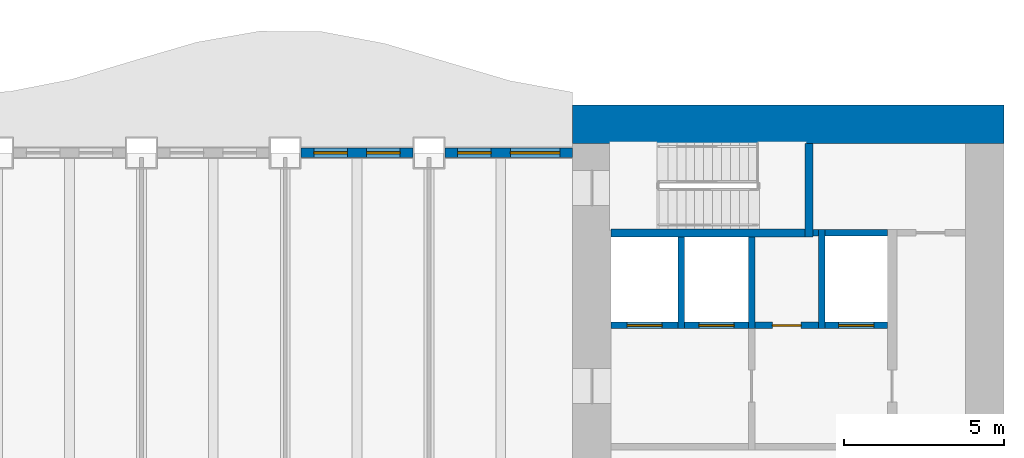
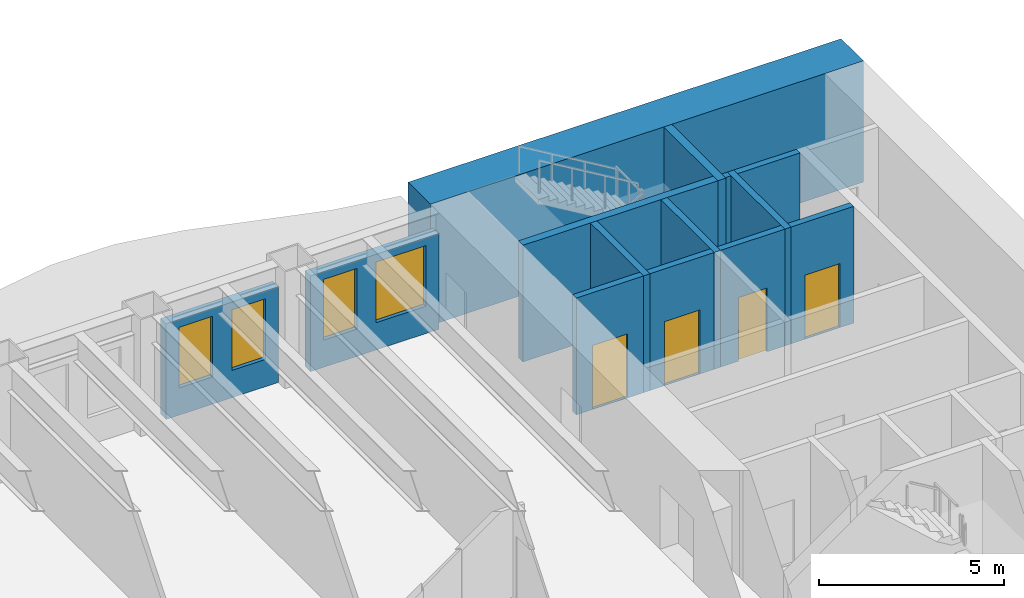
# One storey, part 7 of 16: 14 walls, 4 doors, 4 windows, 8 openings.
"""IFC4 building model written with IfcOpenShell, lengths in metres."""

from ifc_helpers import new_model, si_unit, direction, frame, frame_2d, origin, place, context, subcontext, project, spatial, rectangle, extrude, material, layer, layer_set, type_object, element, fill, save


model = new_model("IFC4")

# Units and contexts
model_context = context("Model", 3, precision=1e-05, world=origin(), true_north=direction((0.0, 1.0)))
body_context = subcontext(model_context, "Body", "Model", "MODEL_VIEW")
ifc_project = project(units=[si_unit("LENGTHUNIT", "METRE"), si_unit("AREAUNIT", "SQUARE_METRE"), si_unit("VOLUMEUNIT", "CUBIC_METRE"), si_unit("PLANEANGLEUNIT", "RADIAN"), si_unit("MASSUNIT", "GRAM", prefix="KILO")], contexts=[model_context])

# Site, building, storey
site_placement = place(None, origin())
site = spatial("IfcSite", under=ifc_project, at=site_placement, CompositionType="ELEMENT")
building_placement = place(site_placement, origin())
building = spatial("IfcBuilding", under=site, at=building_placement, Name="Sennacour Bend Tower", CompositionType="ELEMENT")
storey_placement = place(building_placement, frame((0.0, 0.0, 107.0)))
storey = spatial("IfcBuildingStorey", under=building, at=storey_placement, Name="L24", CompositionType="ELEMENT", Elevation=107.0)

# Wall
ifc_material_1 = material(Name="Concrete C80/95", Category="concrete")
ifc_layer_1 = layer(ifc_material_1, 1.199951171875, Name="Concrete C80/95", Category="concrete")
ifc_layer_set_1 = layer_set([ifc_layer_1], Name="Concrete C80/95")
wall_type_1 = type_object("IfcWallType", Name="Core wall 1200 C80/95", PredefinedType="SHEAR", material=ifc_layer_set_1)
wall_1_placement = place(storey_placement, frame((54.0, 21.89990234375, -0.14990234375), z_axis=(0.0, 0.0, 1.0), x_axis=(1.0, 0.0, 0.0)))
element("IfcWall", 1, at=wall_1_placement, inside=storey, type_object=wall_type_1, Name="Core A wall L24 N", PredefinedType="SHEAR", context=body_context, shape_type="SweptSolid", body=[
    extrude(rectangle(XDim=13.5, YDim=1.199951171875, at=frame_2d((6.75, 0.0))), origin(), (0.0, 0.0, 1.0), 4.0),
])

# Wall, opening, door
ifc_material_2 = material(Name="Fire-rated plasterboard partition on steel studs", Category="steel")
ifc_layer_2 = layer(ifc_material_2, 0.199951171875, Name="Fire-rated plasterboard partition on steel studs", Category="steel")
ifc_layer_set_2 = layer_set([ifc_layer_2], Name="Fire-rated plasterboard partition on steel studs")
wall_type_2 = type_object("IfcWallType", Name="Rated partition 200", PredefinedType="PARTITIONING", material=ifc_layer_set_2)
wall_2_placement = place(storey_placement, frame((59.699951171875, 15.60009765625, 0.0), z_axis=(0.0, 0.0, 1.0), x_axis=(1.0, 0.0, 0.0)))
wall_2 = element("IfcWall", 2, at=wall_2_placement, inside=storey, type_object=wall_type_2, Name="P-L24-W062", PredefinedType="PARTITIONING", context=body_context, shape_type="SweptSolid", body=[
    extrude(rectangle(XDim=2.0, YDim=0.199951171875, at=frame_2d((1.0, 0.0))), origin(), (0.0, 0.0, 1.0), 3.85009765625),
])
opening_1_placement = place(wall_2_placement, frame((0.550048828125, 0.0, 0.0)))
opening_1 = element("IfcOpeningElement", 3, at=opening_1_placement, cuts=wall_2, Name="Opening SV", PredefinedType="OPENING", context=body_context, shape_type="SweptSolid", body=[
    extrude(rectangle(XDim=0.89990234375, YDim=2.10009765625, at=frame_2d((0.449951171875, 1.050048828125))), frame((0.0, 0.10986328125, 0.0), z_axis=(0.0, -1.0, 0.0), x_axis=(1.0, 0.0, 0.0)), (0.0, 0.0, 1.0), 0.219970703125),
])
ifc_material_3 = material(Name="Painted steel", Category="steel")
door_type_1 = type_object("IfcDoorType", Name="DR-SERVICE-900", OperationType="NOTDEFINED", PredefinedType="DOOR", material=ifc_material_3)
door_1_placement = place(opening_1_placement, origin())
door_1 = element("IfcDoor", 4, at=door_1_placement, inside=storey, type_object=door_type_1, Name="Door", OperationType="SINGLE_SWING_RIGHT", OverallHeight=2.10009765625, OverallWidth=0.89990234375, PredefinedType="DOOR", context=body_context, shape_type="SweptSolid", body=[
    extrude(rectangle(XDim=0.89990234375, YDim=2.10009765625, at=frame_2d((0.449951171875, 1.050048828125))), frame((0.0, 0.02490234375, 0.0), z_axis=(0.0, -1.0, 0.0), x_axis=(1.0, 0.0, 0.0)), (0.0, 0.0, 1.0), 0.050048828125),
])
fill(opening_1, door_1)

# Wall
wall_3_placement = place(storey_placement, frame((61.52490234375, 18.5, 0.0), z_axis=(0.0, 0.0, 1.0), x_axis=(1.0, 0.0, 0.0)))
element("IfcWall", 5, at=wall_3_placement, inside=storey, type_object=wall_type_2, Name="P-L24-W065", PredefinedType="PARTITIONING", context=body_context, shape_type="SweptSolid", body=[
    extrude(rectangle(XDim=0.175048828125, YDim=0.199951171875, at=frame_2d((0.08740234375, 0.0))), origin(), (0.0, 0.0, 1.0), 3.85009765625),
])

# Wall, openings, windows
ifc_material_4 = material(Name="Warm limestone cladding", Category="masonry")
ifc_layer_3 = layer(ifc_material_4, 0.050048828125, Name="Warm limestone cladding", Category="masonry")
ifc_material_5 = material(Name="Precast concrete C40/50", Category="concrete")
ifc_layer_4 = layer(ifc_material_5, 0.25, Name="Precast concrete C40/50", Category="concrete")
ifc_layer_set_3 = layer_set([ifc_layer_3, ifc_layer_4], Name="Precast concrete C40/50 with limestone cladding")
wall_type_3 = type_object("IfcWallType", Name="STONE-CLAD PRECAST SPANDREL 300", PredefinedType="STANDARD", material=ifc_layer_set_3)
wall_4_placement = place(storey_placement, frame((54.0, 21.0, 0.0), z_axis=(0.0, 0.0, 1.0), x_axis=(-1.0, 0.0, 0.0)))
wall_4 = element("IfcWall", 6, at=wall_4_placement, inside=storey, type_object=wall_type_3, Name="Stone spandrel and pier wall L24 06.00", PredefinedType="STANDARD", context=body_context, shape_type="SweptSolid", body=[
    extrude(rectangle(XDim=4.0, YDim=0.300048828125, at=frame_2d((2.0, 0.0))), origin(), (0.0, 0.0, 1.0), 3.154052734375),
])
opening_2_placement = place(wall_4_placement, frame((0.39990234375, 0.0, 0.89990234375)))
opening_2 = element("IfcOpeningElement", 7, at=opening_2_placement, cuts=wall_4, Name="Opening W9", PredefinedType="OPENING", context=body_context, shape_type="SweptSolid", body=[
    extrude(rectangle(XDim=1.550048828125, YDim=2.0, at=frame_2d((0.77490234375, 1.0))), frame((0.0, 0.16015625, 0.0), z_axis=(0.0, -1.0, 0.0), x_axis=(1.0, 0.0, 0.0)), (0.0, 0.0, 1.0), 0.320068359375),
])
opening_3_placement = place(wall_4_placement, frame((2.550048828125, 0.0, 0.89990234375)))
opening_3 = element("IfcOpeningElement", 8, at=opening_3_placement, cuts=wall_4, Name="Opening W13", PredefinedType="OPENING", context=body_context, shape_type="SweptSolid", body=[
    extrude(rectangle(XDim=1.050048828125, YDim=2.0, at=frame_2d((0.52490234375, 1.0))), frame((0.0, 0.16015625, 0.0), z_axis=(0.0, -1.0, 0.0), x_axis=(1.0, 0.0, 0.0)), (0.0, 0.0, 1.0), 0.320068359375),
])
ifc_material_6 = material(Name="Clear low-emissivity glass", Category="glass")
window_type_1 = type_object("IfcWindowType", Name="WIN-RIBBON-1050x2000", PartitioningType="SINGLE_PANEL", PredefinedType="WINDOW", material=ifc_material_6)
window_1_placement = place(opening_3_placement, origin())
window_1 = element("IfcWindow", 9, at=window_1_placement, inside=storey, type_object=window_type_1, Name="Ribbon window L24 06.00.1", OverallHeight=2.0, OverallWidth=1.050048828125, PartitioningType="SINGLE_PANEL", PredefinedType="WINDOW", context=body_context, shape_type="SweptSolid", body=[
    extrude(rectangle(XDim=1.050048828125, YDim=2.0, at=frame_2d((0.52490234375, 1.0))), frame((0.0, 0.030029296875, 0.0), z_axis=(0.0, -1.0, 0.0), x_axis=(1.0, 0.0, 0.0)), (0.0, 0.0, 1.0), 0.06005859375),
])
fill(opening_3, window_1)
window_type_2 = type_object("IfcWindowType", Name="WIN-RIBBON-1550x2000", PartitioningType="SINGLE_PANEL", PredefinedType="WINDOW", material=ifc_material_6)
window_2_placement = place(opening_2_placement, origin())
window_2 = element("IfcWindow", 10, at=window_2_placement, inside=storey, type_object=window_type_2, Name="Ribbon window L24 06.00.0", OverallHeight=2.0, OverallWidth=1.550048828125, PartitioningType="SINGLE_PANEL", PredefinedType="WINDOW", context=body_context, shape_type="SweptSolid", body=[
    extrude(rectangle(XDim=1.550048828125, YDim=2.0, at=frame_2d((0.77490234375, 1.0))), frame((0.0, 0.030029296875, 0.0), z_axis=(0.0, -1.0, 0.0), x_axis=(1.0, 0.0, 0.0)), (0.0, 0.0, 1.0), 0.06005859375),
])
fill(opening_2, window_2)

wall_5_placement = place(storey_placement, frame((49.0, 21.0, 0.0), z_axis=(0.0, 0.0, 1.0), x_axis=(-1.0, 0.0, 0.0)))
wall_5 = element("IfcWall", 11, at=wall_5_placement, inside=storey, type_object=wall_type_3, Name="Stone spandrel and pier wall L24 06.01", PredefinedType="STANDARD", context=body_context, shape_type="SweptSolid", body=[
    extrude(rectangle(XDim=3.5, YDim=0.300048828125, at=frame_2d((1.75, 0.0))), origin(), (0.0, 0.0, 1.0), 3.154052734375),
])
opening_4_placement = place(wall_5_placement, frame((0.39990234375, 0.0, 0.89990234375)))
opening_4 = element("IfcOpeningElement", 12, at=opening_4_placement, cuts=wall_5, Name="Opening W13", PredefinedType="OPENING", context=body_context, shape_type="SweptSolid", body=[
    extrude(rectangle(XDim=1.050048828125, YDim=2.0, at=frame_2d((0.52490234375, 1.0))), frame((0.0, 0.16015625, 0.0), z_axis=(0.0, -1.0, 0.0), x_axis=(1.0, 0.0, 0.0)), (0.0, 0.0, 1.0), 0.320068359375),
])
opening_5_placement = place(wall_5_placement, frame((2.050048828125, 0.0, 0.89990234375)))
opening_5 = element("IfcOpeningElement", 13, at=opening_5_placement, cuts=wall_5, Name="Opening W13", PredefinedType="OPENING", context=body_context, shape_type="SweptSolid", body=[
    extrude(rectangle(XDim=1.050048828125, YDim=2.0, at=frame_2d((0.52490234375, 1.0))), frame((0.0, 0.16015625, 0.0), z_axis=(0.0, -1.0, 0.0), x_axis=(1.0, 0.0, 0.0)), (0.0, 0.0, 1.0), 0.320068359375),
])
window_3_placement = place(opening_4_placement, origin())
window_3 = element("IfcWindow", 14, at=window_3_placement, inside=storey, type_object=window_type_1, Name="Ribbon window L24 06.01.0", OverallHeight=2.0, OverallWidth=1.050048828125, PartitioningType="SINGLE_PANEL", PredefinedType="WINDOW", context=body_context, shape_type="SweptSolid", body=[
    extrude(rectangle(XDim=1.050048828125, YDim=2.0, at=frame_2d((0.52490234375, 1.0))), frame((0.0, 0.030029296875, 0.0), z_axis=(0.0, -1.0, 0.0), x_axis=(1.0, 0.0, 0.0)), (0.0, 0.0, 1.0), 0.06005859375),
])
fill(opening_4, window_3)
window_4_placement = place(opening_5_placement, origin())
window_4 = element("IfcWindow", 15, at=window_4_placement, inside=storey, type_object=window_type_1, Name="Ribbon window L24 06.01.1", OverallHeight=2.0, OverallWidth=1.050048828125, PartitioningType="SINGLE_PANEL", PredefinedType="WINDOW", context=body_context, shape_type="SweptSolid", body=[
    extrude(rectangle(XDim=1.050048828125, YDim=2.0, at=frame_2d((0.52490234375, 1.0))), frame((0.0, 0.030029296875, 0.0), z_axis=(0.0, -1.0, 0.0), x_axis=(1.0, 0.0, 0.0)), (0.0, 0.0, 1.0), 0.06005859375),
])
fill(opening_5, window_4)

# Walls
ifc_material_7 = material(Name="Concrete C50/60", Category="concrete")
ifc_layer_5 = layer(ifc_material_7, 0.199951171875, Name="Concrete C50/60", Category="concrete")
ifc_layer_set_4 = layer_set([ifc_layer_5], Name="Concrete C50/60")
wall_type_4 = type_object("IfcWallType", Name="Shaft wall 200", PredefinedType="SOLIDWALL", material=ifc_layer_set_4)
for number, where, z_axis, x_axis, name in (
    (16, (57.39990234375, 15.5, 0.0), (0.0, 0.0, 1.0), (0.0, 1.0, 0.0), "P-L24-W036"),
    (17, (59.60009765625, 15.5, 0.0), (0.0, 0.0, 1.0), (0.0, 1.0, 0.0), "P-L24-W039"),
):
    element("IfcWall", number, at=place(storey_placement, frame(where, z_axis=z_axis, x_axis=x_axis)), inside=storey, type_object=wall_type_4, Name=name, PredefinedType="SOLIDWALL", context=body_context, shape_type="SweptSolid", body=[
        extrude(rectangle(XDim=2.875, YDim=0.199951171875, at=frame_2d((1.4375, 0.0))), origin(), (0.0, 0.0, 1.0), 3.85009765625),
    ])
wall_6_placement = place(storey_placement, frame((61.800048828125, 15.5, 0.0), z_axis=(0.0, 0.0, 1.0), x_axis=(0.0, 1.0, 0.0)))
element("IfcWall", 18, at=wall_6_placement, inside=storey, type_object=wall_type_4, Name="P-L24-W043", PredefinedType="SOLIDWALL", context=body_context, shape_type="SweptSolid", body=[
    extrude(rectangle(XDim=3.10009765625, YDim=0.199951171875, at=frame_2d((1.550048828125, 0.0))), origin(), (0.0, 0.0, 1.0), 3.85009765625),
])

# Wall, opening, door
wall_7_placement = place(storey_placement, frame((55.199951171875, 15.60009765625, 0.0), z_axis=(0.0, 0.0, 1.0), x_axis=(1.0, 0.0, 0.0)))
wall_7 = element("IfcWall", 19, at=wall_7_placement, inside=storey, type_object=wall_type_4, Name="P-L24-W061a", PredefinedType="SOLIDWALL", context=body_context, shape_type="SweptSolid", body=[
    extrude(rectangle(XDim=2.10009765625, YDim=0.199951171875, at=frame_2d((1.050048828125, 0.0))), origin(), (0.0, 0.0, 1.0), 3.85009765625),
])
opening_6_placement = place(wall_7_placement, frame((0.5, 0.0, 0.011962890625)))
opening_6 = element("IfcOpeningElement", 20, at=opening_6_placement, cuts=wall_7, Name="Opening FLD", PredefinedType="OPENING", context=body_context, shape_type="SweptSolid", body=[
    extrude(rectangle(XDim=1.10009765625, YDim=2.10009765625, at=frame_2d((0.550048828125, 1.050048828125))), frame((0.0, 0.10986328125, 0.0), z_axis=(0.0, -1.0, 0.0), x_axis=(1.0, 0.0, 0.0)), (0.0, 0.0, 1.0), 0.219970703125),
])
ifc_material_8 = material(Name="Stainless steel", Category="steel")
door_type_2 = type_object("IfcDoorType", Name="DR-FF-LANDING-1100", OperationType="NOTDEFINED", PredefinedType="DOOR", material=ifc_material_8)
door_2_placement = place(opening_6_placement, origin())
door_2 = element("IfcDoor", 21, at=door_2_placement, inside=storey, type_object=door_type_2, Name="Fire service lift landing door FA1", OperationType="SLIDING_TO_LEFT", OverallHeight=2.10009765625, OverallWidth=1.10009765625, PredefinedType="DOOR", context=body_context, shape_type="SweptSolid", body=[
    extrude(rectangle(XDim=1.10009765625, YDim=2.10009765625, at=frame_2d((0.550048828125, 1.050048828125))), frame((0.0, 0.02490234375, 0.0), z_axis=(0.0, -1.0, 0.0), x_axis=(1.0, 0.0, 0.0)), (0.0, 0.0, 1.0), 0.050048828125),
])
fill(opening_6, door_2)

wall_8_placement = place(storey_placement, frame((57.5, 15.60009765625, 0.0), z_axis=(0.0, 0.0, 1.0), x_axis=(1.0, 0.0, 0.0)))
wall_8 = element("IfcWall", 22, at=wall_8_placement, inside=storey, type_object=wall_type_4, Name="P-L24-W061b", PredefinedType="SOLIDWALL", context=body_context, shape_type="SweptSolid", body=[
    extrude(rectangle(XDim=2.0, YDim=0.199951171875, at=frame_2d((1.0, 0.0))), origin(), (0.0, 0.0, 1.0), 3.85009765625),
])
opening_7_placement = place(wall_8_placement, frame((0.449951171875, 0.0, 0.011962890625)))
opening_7 = element("IfcOpeningElement", 23, at=opening_7_placement, cuts=wall_8, Name="Opening FLD", PredefinedType="OPENING", context=body_context, shape_type="SweptSolid", body=[
    extrude(rectangle(XDim=1.10009765625, YDim=2.10009765625, at=frame_2d((0.550048828125, 1.050048828125))), frame((0.0, 0.10986328125, 0.0), z_axis=(0.0, -1.0, 0.0), x_axis=(1.0, 0.0, 0.0)), (0.0, 0.0, 1.0), 0.219970703125),
])
door_3_placement = place(opening_7_placement, origin())
door_3 = element("IfcDoor", 24, at=door_3_placement, inside=storey, type_object=door_type_2, Name="Fire service lift landing door FA2", OperationType="SLIDING_TO_RIGHT", OverallHeight=2.10009765625, OverallWidth=1.10009765625, PredefinedType="DOOR", context=body_context, shape_type="SweptSolid", body=[
    extrude(rectangle(XDim=1.10009765625, YDim=2.10009765625, at=frame_2d((0.550048828125, 1.050048828125))), frame((0.0, 0.02490234375, 0.0), z_axis=(0.0, -1.0, 0.0), x_axis=(1.0, 0.0, 0.0)), (0.0, 0.0, 1.0), 0.050048828125),
])
fill(opening_7, door_3)

wall_9_placement = place(storey_placement, frame((61.89990234375, 15.60009765625, 0.0), z_axis=(0.0, 0.0, 1.0), x_axis=(1.0, 0.0, 0.0)))
wall_9 = element("IfcWall", 25, at=wall_9_placement, inside=storey, type_object=wall_type_4, Name="P-L24-W063", PredefinedType="SOLIDWALL", context=body_context, shape_type="SweptSolid", body=[
    extrude(rectangle(XDim=1.9501953125, YDim=0.199951171875, at=frame_2d((0.97509765625, 0.0))), origin(), (0.0, 0.0, 1.0), 3.85009765625),
])
opening_8_placement = place(wall_9_placement, frame((0.425048828125, 0.0, 0.011962890625)))
opening_8 = element("IfcOpeningElement", 26, at=opening_8_placement, cuts=wall_9, Name="Opening LD", PredefinedType="OPENING", context=body_context, shape_type="SweptSolid", body=[
    extrude(rectangle(XDim=1.10009765625, YDim=2.10009765625, at=frame_2d((0.550048828125, 1.050048828125))), frame((0.0, 0.10986328125, 0.0), z_axis=(0.0, -1.0, 0.0), x_axis=(1.0, 0.0, 0.0)), (0.0, 0.0, 1.0), 0.219970703125),
])
door_type_3 = type_object("IfcDoorType", Name="DR-LANDING-1100", OperationType="NOTDEFINED", PredefinedType="DOOR", material=ifc_material_8)
door_4_placement = place(opening_8_placement, origin())
door_4 = element("IfcDoor", 27, at=door_4_placement, inside=storey, type_object=door_type_3, Name="Lift landing door LA5", OperationType="SLIDING_TO_LEFT", OverallHeight=2.10009765625, OverallWidth=1.10009765625, PredefinedType="DOOR", context=body_context, shape_type="SweptSolid", body=[
    extrude(rectangle(XDim=1.10009765625, YDim=2.10009765625, at=frame_2d((0.550048828125, 1.050048828125))), frame((0.0, 0.02490234375, 0.0), z_axis=(0.0, -1.0, 0.0), x_axis=(1.0, 0.0, 0.0)), (0.0, 0.0, 1.0), 0.050048828125),
])
fill(opening_8, door_4)

# Walls
wall_10_placement = place(storey_placement, frame((61.89990234375, 18.5, 0.0), z_axis=(0.0, 0.0, 1.0), x_axis=(1.0, 0.0, 0.0)))
element("IfcWall", 28, at=wall_10_placement, inside=storey, type_object=wall_type_4, Name="P-L24-W066", PredefinedType="SOLIDWALL", context=body_context, shape_type="SweptSolid", body=[
    extrude(rectangle(XDim=1.9501953125, YDim=0.199951171875, at=frame_2d((0.97509765625, 0.0))), origin(), (0.0, 0.0, 1.0), 3.85009765625),
])
ifc_material_9 = material(Name="Concrete C60/75", Category="concrete")
ifc_layer_6 = layer(ifc_material_9, 0.25, Name="Concrete C60/75", Category="concrete")
ifc_layer_set_5 = layer_set([ifc_layer_6], Name="Concrete C60/75")
wall_type_5 = type_object("IfcWallType", Name="Stair wall 250", PredefinedType="SHEAR", material=ifc_layer_set_5)
wall_11_placement = place(storey_placement, frame((61.39990234375, 18.375, 0.0), z_axis=(0.0, 0.0, 1.0), x_axis=(0.0, 1.0, 0.0)))
element("IfcWall", 29, at=wall_11_placement, inside=storey, type_object=wall_type_5, Name="P-L24-W041", PredefinedType="SHEAR", context=body_context, shape_type="SweptSolid", body=[
    extrude(rectangle(XDim=2.925048828125, YDim=0.25, at=frame_2d((1.46240234375, 0.0))), origin(), (0.0, 0.0, 1.0), 3.85009765625),
])
wall_12_placement = place(storey_placement, frame((55.199951171875, 18.5, 0.0), z_axis=(0.0, 0.0, 1.0), x_axis=(1.0, 0.0, 0.0)))
element("IfcWall", 30, at=wall_12_placement, inside=storey, type_object=wall_type_5, Name="P-L24-W064", PredefinedType="SHEAR", context=body_context, shape_type="SweptSolid", body=[
    extrude(rectangle(XDim=6.074951171875, YDim=0.25, at=frame_2d((3.03759765625, 0.0))), origin(), (0.0, 0.0, 1.0), 3.85009765625),
])

save(model, "model.ifc")
